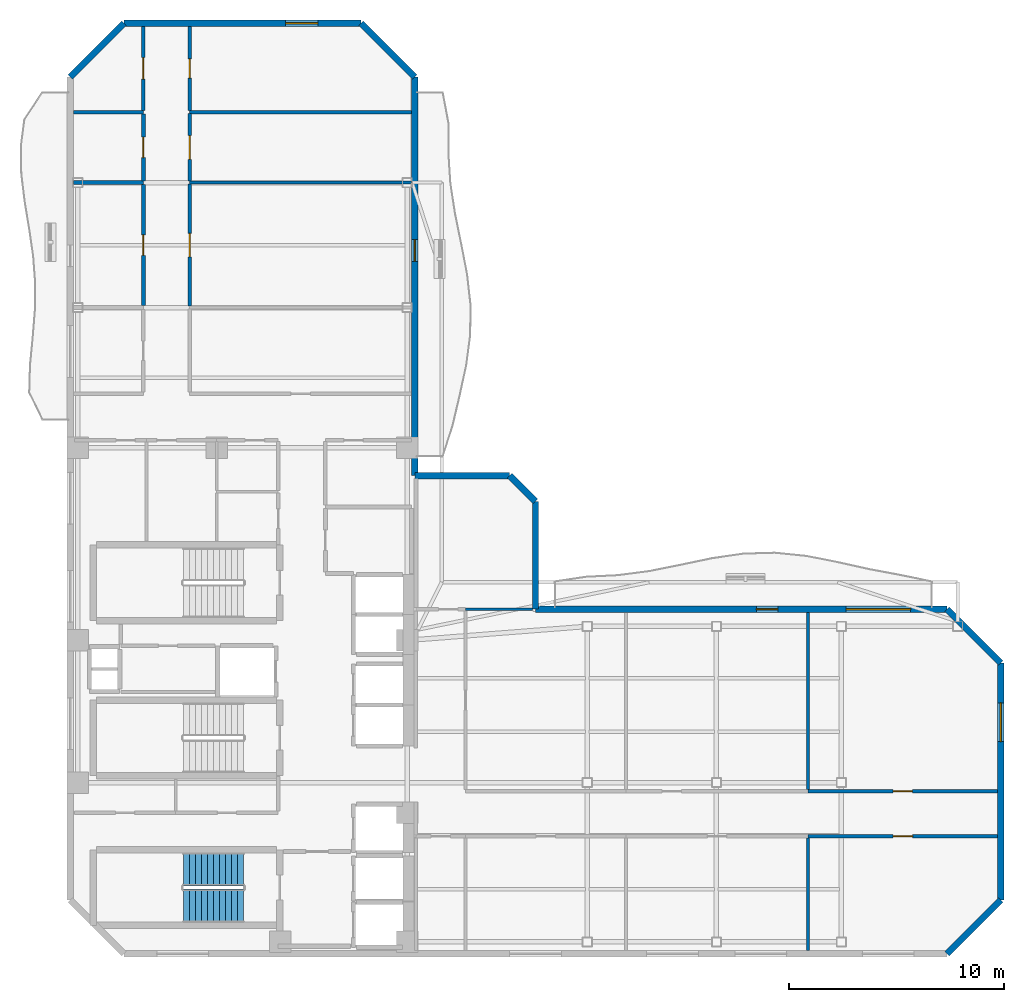
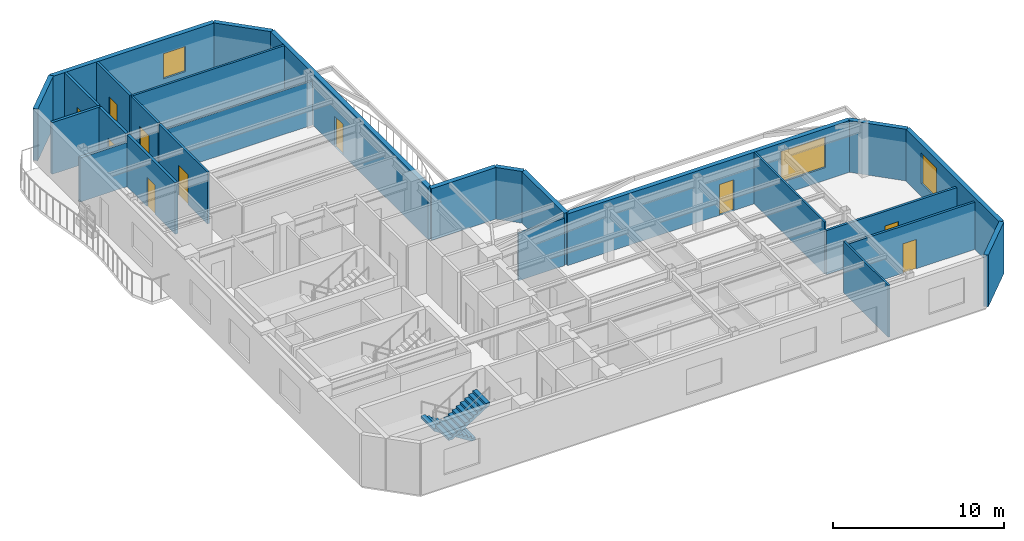
# One storey, part 5 of 9: 26 walls, 10 doors, 3 windows, 2 stair flights, 13 openings, 1 element without a shape of its own.
"""IFC4 building model written with IfcOpenShell, lengths in metres."""

from ifc_helpers import new_model, si_unit, direction, frame, frame_2d, origin, place, context, subcontext, project, spatial, polyline, rectangle, outline, extrude, material, layer, layer_set, type_object, element, fill, aggregate, save


model = new_model("IFC4")

# Units and contexts
model_context = context("Model", 3, precision=1e-05, world=origin(), true_north=direction((0.0, 1.0)))
body_context = subcontext(model_context, "Body", "Model", "MODEL_VIEW")
ifc_project = project(units=[si_unit("LENGTHUNIT", "METRE"), si_unit("AREAUNIT", "SQUARE_METRE"), si_unit("VOLUMEUNIT", "CUBIC_METRE"), si_unit("PLANEANGLEUNIT", "RADIAN"), si_unit("MASSUNIT", "GRAM", prefix="KILO")], contexts=[model_context])

# Site, building, storey
site_placement = place(None, origin())
site = spatial("IfcSite", under=ifc_project, at=site_placement, CompositionType="ELEMENT")
building_placement = place(site_placement, origin())
building = spatial("IfcBuilding", under=site, at=building_placement, Name="Mawjaban Terraces University", CompositionType="ELEMENT")
storey_placement = place(building_placement, frame((0.0, 0.0, 226.5)))
storey = spatial("IfcBuildingStorey", under=building, at=storey_placement, Name="L55", CompositionType="ELEMENT", Elevation=226.5)

# Walls
ifc_material_1 = material(Name="Acoustic masonry blockwork", Category="masonry")
ifc_layer_1 = layer(ifc_material_1, 0.179931640625)
ifc_layer_set_1 = layer_set([ifc_layer_1], Name="Acoustic masonry blockwork")
wall_type_1 = type_object("IfcWallType", Name="AcousticStudioWall_180", PredefinedType="PARTITIONING", material=ifc_layer_set_1)
wall_1_placement = place(storey_placement, frame((25.39990234375, 35.800048828125, 0.0), z_axis=(0.0, 0.0, 1.0), x_axis=(-1.0, 0.0, 0.0)))
element("IfcWall", 1, at=wall_1_placement, inside=storey, type_object=wall_type_1, Name="L55 Media Workshop 10 Partition 5", PredefinedType="PARTITIONING", context=body_context, shape_type="SweptSolid", body=[
    extrude(rectangle(XDim=3.2548828125, YDim=0.179931640625, at=frame_2d((1.62744140625, 0.0))), origin(), (0.0, 0.0, 1.0), 3.14599609375),
])
wall_2_placement = place(storey_placement, frame((25.39990234375, 39.070068359375, 0.0), z_axis=(0.0, 0.0, 1.0), x_axis=(-1.0, 0.0, 0.0)))
element("IfcWall", 2, at=wall_2_placement, inside=storey, type_object=wall_type_1, Name="L55 Design Studio 12 Partition 6", PredefinedType="PARTITIONING", context=body_context, shape_type="SweptSolid", body=[
    extrude(rectangle(XDim=3.2548828125, YDim=0.179931640625, at=frame_2d((1.62744140625, 0.0))), origin(), (0.0, 0.0, 1.0), 3.68994140625),
])

# Wall, opening, door
wall_3_placement = place(storey_placement, frame((25.39990234375, 35.715087890625, 0.0), z_axis=(0.0, 0.0, 1.0), x_axis=(0.0, -1.0, 0.0)))
wall_3 = element("IfcWall", 3, at=wall_3_placement, inside=storey, type_object=wall_type_1, Name="L55 West Shifted Academic Corridor Partition 33", PredefinedType="PARTITIONING", context=body_context, shape_type="SweptSolid", body=[
    extrude(rectangle(XDim=5.630126953125, YDim=0.179931640625, at=frame_2d((2.81494140625, 0.0))), origin(), (0.0, 0.0, 1.0), 3.68994140625),
])
opening_1_placement = place(wall_3_placement, frame((2.340087890625, 0.0, 0.0)))
opening_1 = element("IfcOpeningElement", 4, at=opening_1_placement, cuts=wall_3, Name="Opening ID-095", PredefinedType="OPENING", context=body_context, shape_type="SweptSolid", body=[
    extrude(rectangle(XDim=0.949951171875, YDim=2.10009765625, at=frame_2d((0.47509765625, 1.050048828125))), frame((0.0, 0.099853515625, 0.0), z_axis=(0.0, -1.0, 0.0), x_axis=(1.0, 0.0, 0.0)), (0.0, 0.0, 1.0), 0.199951171875),
])
ifc_material_2 = material(Name="Powder-coated steel frame and solid acoustic timber leaf", Category="steel")
door_type_1 = type_object("IfcDoorType", Name="StudioDoor_950x2100", OperationType="NOTDEFINED", PredefinedType="DOOR", material=ifc_material_2)
door_1_placement = place(opening_1_placement, origin())
door_1 = element("IfcDoor", 5, at=door_1_placement, inside=storey, type_object=door_type_1, Name="L55 Media Workshop 10 Door", OperationType="SINGLE_SWING_RIGHT", OverallHeight=2.10009765625, OverallWidth=0.949951171875, PredefinedType="DOOR", context=body_context, shape_type="SweptSolid", body=[
    extrude(rectangle(XDim=0.949951171875, YDim=2.10009765625, at=frame_2d((0.47509765625, 1.050048828125))), frame((0.0, 0.02490234375, 0.0), z_axis=(0.0, -1.0, 0.0), x_axis=(1.0, 0.0, 0.0)), (0.0, 0.0, 1.0), 0.050048828125),
])
fill(opening_1, door_1)

wall_4_placement = place(storey_placement, frame((25.39990234375, 38.985107421875, 0.0), z_axis=(0.0, 0.0, 1.0), x_axis=(0.0, -1.0, 0.0)))
wall_4 = element("IfcWall", 6, at=wall_4_placement, inside=storey, type_object=wall_type_1, Name="L55 West Shifted Academic Corridor Partition 34", PredefinedType="PARTITIONING", context=body_context, shape_type="SweptSolid", body=[
    extrude(rectangle(XDim=3.10009765625, YDim=0.179931640625, at=frame_2d((1.550048828125, 0.0))), origin(), (0.0, 0.0, 1.0), 3.68994140625),
])
opening_2_placement = place(wall_4_placement, frame((1.074951171875, 0.0, 0.0)))
opening_2 = element("IfcOpeningElement", 7, at=opening_2_placement, cuts=wall_4, Name="Opening ID-095", PredefinedType="OPENING", context=body_context, shape_type="SweptSolid", body=[
    extrude(rectangle(XDim=0.949951171875, YDim=2.10009765625, at=frame_2d((0.47509765625, 1.050048828125))), frame((0.0, 0.099853515625, 0.0), z_axis=(0.0, -1.0, 0.0), x_axis=(1.0, 0.0, 0.0)), (0.0, 0.0, 1.0), 0.199951171875),
])
door_2_placement = place(opening_2_placement, origin())
door_2 = element("IfcDoor", 8, at=door_2_placement, inside=storey, type_object=door_type_1, Name="L55 Design Studio 12 Door", OperationType="SINGLE_SWING_RIGHT", OverallHeight=2.10009765625, OverallWidth=0.949951171875, PredefinedType="DOOR", context=body_context, shape_type="SweptSolid", body=[
    extrude(rectangle(XDim=0.949951171875, YDim=2.10009765625, at=frame_2d((0.47509765625, 1.050048828125))), frame((0.0, 0.02490234375, 0.0), z_axis=(0.0, -1.0, 0.0), x_axis=(1.0, 0.0, 0.0)), (0.0, 0.0, 1.0), 0.050048828125),
])
fill(opening_2, door_2)

ifc_material_3 = material(Name="Fire-rated gypsum board on steel stud", Category="steel")
ifc_layer_2 = layer(ifc_material_3, 0.159912109375)
ifc_layer_set_2 = layer_set([ifc_layer_2], Name="Fire-rated gypsum board on steel stud")
wall_type_2 = type_object("IfcWallType", Name="CorridorPartition_160", PredefinedType="PARTITIONING", material=ifc_layer_set_2)
wall_5_placement = place(storey_placement, frame((56.25, 5.449951171875, 0.0), z_axis=(0.0, 0.0, 1.0), x_axis=(1.0, 0.0, 0.0)))
wall_5 = element("IfcWall", 9, at=wall_5_placement, inside=storey, type_object=wall_type_2, Name="L55 South Shifted Academic Corridor Partition 28", PredefinedType="PARTITIONING", context=body_context, shape_type="SweptSolid", body=[
    extrude(rectangle(XDim=8.804931640625, YDim=0.159912109375, at=frame_2d((4.40234375, 0.0))), origin(), (0.0, 0.0, 1.0), 3.3720703125),
])
opening_3_placement = place(wall_5_placement, frame((3.952880859375, 0.0, 0.0)))
opening_3 = element("IfcOpeningElement", 10, at=opening_3_placement, cuts=wall_5, Name="Opening ID-090", PredefinedType="OPENING", context=body_context, shape_type="SweptSolid", body=[
    extrude(rectangle(XDim=0.89990234375, YDim=2.10009765625, at=frame_2d((0.449951171875, 1.050048828125))), frame((0.0, 0.08984375, 0.0), z_axis=(0.0, -1.0, 0.0), x_axis=(1.0, 0.0, 0.0)), (0.0, 0.0, 1.0), 0.179931640625),
])
door_type_2 = type_object("IfcDoorType", Name="OfficeDoor_900x2100", OperationType="NOTDEFINED", PredefinedType="DOOR", material=ifc_material_2)
door_3_placement = place(opening_3_placement, origin())
door_3 = element("IfcDoor", 11, at=door_3_placement, inside=storey, type_object=door_type_2, Name="L55 Departmental Office 6 Door", OperationType="SINGLE_SWING_RIGHT", OverallHeight=2.10009765625, OverallWidth=0.89990234375, PredefinedType="DOOR", context=body_context, shape_type="SweptSolid", body=[
    extrude(rectangle(XDim=0.89990234375, YDim=2.10009765625, at=frame_2d((0.449951171875, 1.050048828125))), frame((0.0, 0.02490234375, 0.0), z_axis=(0.0, -1.0, 0.0), x_axis=(1.0, 0.0, 0.0)), (0.0, 0.0, 1.0), 0.050048828125),
])
fill(opening_3, door_3)

wall_6_placement = place(storey_placement, frame((65.054931640625, 7.550048828125, 0.0), z_axis=(0.0, 0.0, 1.0), x_axis=(-1.0, 0.0, 0.0)))
wall_6 = element("IfcWall", 12, at=wall_6_placement, inside=storey, type_object=wall_type_2, Name="L55 South Shifted Academic Corridor Partition 30", PredefinedType="PARTITIONING", context=body_context, shape_type="SweptSolid", body=[
    extrude(rectangle(XDim=8.804931640625, YDim=0.159912109375, at=frame_2d((4.40234375, 0.0))), origin(), (0.0, 0.0, 1.0), 3.14599609375),
])
opening_4_placement = place(wall_6_placement, frame((3.952880859375, 0.0, 0.0)))
opening_4 = element("IfcOpeningElement", 13, at=opening_4_placement, cuts=wall_6, Name="Opening ID-090", PredefinedType="OPENING", context=body_context, shape_type="SweptSolid", body=[
    extrude(rectangle(XDim=0.89990234375, YDim=2.10009765625, at=frame_2d((0.449951171875, 1.050048828125))), frame((0.0, 0.08984375, 0.0), z_axis=(0.0, -1.0, 0.0), x_axis=(1.0, 0.0, 0.0)), (0.0, 0.0, 1.0), 0.179931640625),
])
door_4_placement = place(opening_4_placement, origin())
door_4 = element("IfcDoor", 14, at=door_4_placement, inside=storey, type_object=door_type_2, Name="L55 Faculty Office 7 Door", OperationType="SINGLE_SWING_LEFT", OverallHeight=2.10009765625, OverallWidth=0.89990234375, PredefinedType="DOOR", context=body_context, shape_type="SweptSolid", body=[
    extrude(rectangle(XDim=0.89990234375, YDim=2.10009765625, at=frame_2d((0.449951171875, 1.050048828125))), frame((0.0, 0.02490234375, 0.0), z_axis=(0.0, -1.0, 0.0), x_axis=(1.0, 0.0, 0.0)), (0.0, 0.0, 1.0), 0.050048828125),
])
fill(opening_4, door_4)

wall_7_placement = place(storey_placement, frame((25.39990234375, 43.054931640625, 0.0), z_axis=(0.0, 0.0, 1.0), x_axis=(0.0, -1.0, 0.0)))
wall_7 = element("IfcWall", 15, at=wall_7_placement, inside=storey, type_object=wall_type_2, Name="L55 West Shifted Academic Corridor Partition 35", PredefinedType="PARTITIONING", context=body_context, shape_type="SweptSolid", body=[
    extrude(rectangle(XDim=3.89990234375, YDim=0.159912109375, at=frame_2d((1.949951171875, 0.0))), origin(), (0.0, 0.0, 1.0), 3.68994140625),
])
opening_5_placement = place(wall_7_placement, frame((1.449951171875, 0.0, 0.0)))
opening_5 = element("IfcOpeningElement", 16, at=opening_5_placement, cuts=wall_7, Name="Opening ID-100", PredefinedType="OPENING", context=body_context, shape_type="SweptSolid", body=[
    extrude(rectangle(XDim=1.0, YDim=2.10009765625, at=frame_2d((0.5, 1.050048828125))), frame((0.0, 0.08984375, 0.0), z_axis=(0.0, -1.0, 0.0), x_axis=(1.0, 0.0, 0.0)), (0.0, 0.0, 1.0), 0.179931640625),
])
door_type_3 = type_object("IfcDoorType", Name="ClassroomDoor_1000x2100", OperationType="NOTDEFINED", PredefinedType="DOOR", material=ifc_material_2)
door_5_placement = place(opening_5_placement, origin())
door_5 = element("IfcDoor", 17, at=door_5_placement, inside=storey, type_object=door_type_3, Name="L55 Classroom 14 Door", OperationType="SINGLE_SWING_RIGHT", OverallHeight=2.10009765625, OverallWidth=1.0, PredefinedType="DOOR", context=body_context, shape_type="SweptSolid", body=[
    extrude(rectangle(XDim=1.0, YDim=2.10009765625, at=frame_2d((0.5, 1.050048828125))), frame((0.0, 0.02490234375, 0.0), z_axis=(0.0, -1.0, 0.0), x_axis=(1.0, 0.0, 0.0)), (0.0, 0.0, 1.0), 0.050048828125),
])
fill(opening_5, door_5)

wall_8_placement = place(storey_placement, frame((27.550048828125, 39.137939453125, 0.0), z_axis=(0.0, 0.0, 1.0), x_axis=(0.0, 1.0, 0.0)))
wall_8 = element("IfcWall", 18, at=wall_8_placement, inside=storey, type_object=wall_type_2, Name="L55 West Shifted Academic Corridor Partition 41", PredefinedType="PARTITIONING", context=body_context, shape_type="SweptSolid", body=[
    extrude(rectangle(XDim=3.9169921875, YDim=0.159912109375, at=frame_2d((1.95849609375, 0.0))), origin(), (0.0, 0.0, 1.0), 3.68994140625),
])
opening_6_placement = place(wall_8_placement, frame((1.509033203125, 0.0, 0.0)))
opening_6 = element("IfcOpeningElement", 19, at=opening_6_placement, cuts=wall_8, Name="Opening ID-090", PredefinedType="OPENING", context=body_context, shape_type="SweptSolid", body=[
    extrude(rectangle(XDim=0.89990234375, YDim=2.10009765625, at=frame_2d((0.449951171875, 1.050048828125))), frame((0.0, 0.08984375, 0.0), z_axis=(0.0, -1.0, 0.0), x_axis=(1.0, 0.0, 0.0)), (0.0, 0.0, 1.0), 0.179931640625),
])
door_6_placement = place(opening_6_placement, origin())
door_6 = element("IfcDoor", 20, at=door_6_placement, inside=storey, type_object=door_type_2, Name="L55 Academic Counseling Room 15 Door", OperationType="SINGLE_SWING_LEFT", OverallHeight=2.10009765625, OverallWidth=0.89990234375, PredefinedType="DOOR", context=body_context, shape_type="SweptSolid", body=[
    extrude(rectangle(XDim=0.89990234375, YDim=2.10009765625, at=frame_2d((0.449951171875, 1.050048828125))), frame((0.0, 0.02490234375, 0.0), z_axis=(0.0, -1.0, 0.0), x_axis=(1.0, 0.0, 0.0)), (0.0, 0.0, 1.0), 0.050048828125),
])
fill(opening_6, door_6)

# Wall
ifc_material_4 = material(Name="Insulated terracotta rainscreen on concrete backup C40/50", Category="masonry")
ifc_layer_3 = layer(ifc_material_4, 0.300048828125)
ifc_layer_set_3 = layer_set([ifc_layer_3], Name="Insulated terracotta rainscreen on concrete backup C40/50")
wall_type_3 = type_object("IfcWallType", Name="ExtTerracottaWall_300", PredefinedType="SOLIDWALL", material=ifc_layer_set_3)
wall_9_placement = place(storey_placement, frame((62.699951171875, 0.0, 0.0), z_axis=(0.0, 0.0, 1.0), x_axis=(0.707106781187, 0.707106781187, 0.0)))
element("IfcWall", 21, at=wall_9_placement, inside=storey, type_object=wall_type_3, Name="L55 Exterior Terracotta Wall 2", PredefinedType="SOLIDWALL", context=body_context, shape_type="SweptSolid", body=[
    extrude(rectangle(XDim=3.53564453125, YDim=0.300048828125, at=frame_2d((1.767822265625, 0.0))), origin(), (0.0, 0.0, 1.0), 3.68994140625),
])

# Wall, opening, window
wall_10_placement = place(storey_placement, frame((65.199951171875, 2.5, 0.0), z_axis=(0.0, 0.0, 1.0), x_axis=(0.0, 1.0, 0.0)))
wall_10 = element("IfcWall", 22, at=wall_10_placement, inside=storey, type_object=wall_type_3, Name="L55 Exterior Terracotta Wall 3", PredefinedType="SOLIDWALL", context=body_context, shape_type="SweptSolid", body=[
    extrude(rectangle(XDim=11.0, YDim=0.300048828125, at=frame_2d((5.5, 0.0))), origin(), (0.0, 0.0, 1.0), 3.68994140625),
])
opening_7_placement = place(wall_10_placement, frame((7.35009765625, 0.0, 0.89990234375)))
opening_7 = element("IfcOpeningElement", 23, at=opening_7_placement, cuts=wall_10, Name="Opening W-10", PredefinedType="OPENING", context=body_context, shape_type="SweptSolid", body=[
    extrude(rectangle(XDim=1.800048828125, YDim=2.199951171875, at=frame_2d((0.89990234375, 1.10009765625))), frame((0.0, 0.159912109375, 0.0), z_axis=(0.0, -1.0, 0.0), x_axis=(1.0, 0.0, 0.0)), (0.0, 0.0, 1.0), 0.320068359375),
])
ifc_material_5 = material(Name="Low-E solar-control double glazing in thermally broken aluminium frame", Category="aluminium")
window_type_1 = type_object("IfcWindowType", Name="Win_1800x2200", PartitioningType="SINGLE_PANEL", PredefinedType="WINDOW", material=ifc_material_5)
window_1_placement = place(opening_7_placement, origin())
window_1 = element("IfcWindow", 24, at=window_1_placement, inside=storey, type_object=window_type_1, Name="L55 Facade Window 3.2", OverallHeight=2.199951171875, OverallWidth=1.800048828125, PartitioningType="SINGLE_PANEL", PredefinedType="WINDOW", context=body_context, shape_type="SweptSolid", body=[
    extrude(rectangle(XDim=1.800048828125, YDim=2.199951171875, at=frame_2d((0.89990234375, 1.10009765625))), frame((0.0, 0.030029296875, 0.0), z_axis=(0.0, -1.0, 0.0), x_axis=(1.0, 0.0, 0.0)), (0.0, 0.0, 1.0), 0.06005859375),
])
fill(opening_7, window_1)

# Wall
wall_11_placement = place(storey_placement, frame((65.199951171875, 13.5, 0.0), z_axis=(0.0, 0.0, 1.0), x_axis=(-0.707106781187, 0.707106781187, 0.0)))
element("IfcWall", 25, at=wall_11_placement, inside=storey, type_object=wall_type_3, Name="L55 Exterior Terracotta Wall 4", PredefinedType="SOLIDWALL", context=body_context, shape_type="SweptSolid", body=[
    extrude(rectangle(XDim=3.53564453125, YDim=0.300048828125, at=frame_2d((1.767822265625, 0.0))), origin(), (0.0, 0.0, 1.0), 3.68994140625),
])

# Wall, openings, door, window
wall_12_placement = place(storey_placement, frame((62.699951171875, 16.0, 0.0), z_axis=(0.0, 0.0, 1.0), x_axis=(-1.0, 0.0, 0.0)))
wall_12 = element("IfcWall", 26, at=wall_12_placement, inside=storey, type_object=wall_type_3, Name="L55 Exterior Terracotta Wall 5", PredefinedType="SOLIDWALL", context=body_context, shape_type="SweptSolid", body=[
    extrude(rectangle(XDim=19.099853515625, YDim=0.300048828125, at=frame_2d((9.5498046875, 0.0))), origin(), (0.0, 0.0, 1.0), 3.68994140625),
])
opening_8_placement = place(wall_12_placement, frame((7.85009765625, 0.0, 0.0)))
opening_8 = element("IfcOpeningElement", 27, at=opening_8_placement, cuts=wall_12, Name="Opening BD-100", PredefinedType="OPENING", context=body_context, shape_type="SweptSolid", body=[
    extrude(rectangle(XDim=1.0, YDim=2.199951171875, at=frame_2d((0.5, 1.10009765625))), frame((0.0, 0.159912109375, 0.0), z_axis=(0.0, -1.0, 0.0), x_axis=(1.0, 0.0, 0.0)), (0.0, 0.0, 1.0), 0.320068359375),
])
opening_9_placement = place(wall_12_placement, frame((1.68310546875, 0.0, 0.89990234375)))
opening_9 = element("IfcOpeningElement", 28, at=opening_9_placement, cuts=wall_12, Name="Opening W-12", PredefinedType="OPENING", context=body_context, shape_type="SweptSolid", body=[
    extrude(rectangle(XDim=3.0, YDim=2.199951171875, at=frame_2d((1.5, 1.10009765625))), frame((0.0, 0.159912109375, 0.0), z_axis=(0.0, -1.0, 0.0), x_axis=(1.0, 0.0, 0.0)), (0.0, 0.0, 1.0), 0.320068359375),
])
ifc_material_6 = material(Name="Thermally broken anodised aluminium and laminated safety glass", Category="aluminium")
door_type_4 = type_object("IfcDoorType", Name="BalconyGlazedDoor_1000x2200", OperationType="NOTDEFINED", PredefinedType="DOOR", material=ifc_material_6)
door_7_placement = place(opening_8_placement, origin())
door_7 = element("IfcDoor", 29, at=door_7_placement, inside=storey, type_object=door_type_4, Name="L55 Balcony Access Door inner_north", OperationType="SINGLE_SWING_RIGHT", OverallHeight=2.199951171875, OverallWidth=1.0, PredefinedType="DOOR", context=body_context, shape_type="SweptSolid", body=[
    extrude(rectangle(XDim=1.0, YDim=2.199951171875, at=frame_2d((0.5, 1.10009765625))), frame((0.0, 0.02490234375, 0.0), z_axis=(0.0, -1.0, 0.0), x_axis=(1.0, 0.0, 0.0)), (0.0, 0.0, 1.0), 0.050048828125),
])
fill(opening_8, door_7)
window_type_2 = type_object("IfcWindowType", Name="Win_3000x2200", PartitioningType="SINGLE_PANEL", PredefinedType="WINDOW", material=ifc_material_5)
window_2_placement = place(opening_9_placement, origin())
window_2 = element("IfcWindow", 30, at=window_2_placement, inside=storey, type_object=window_type_2, Name="L55 Facade Window 5.1", OverallHeight=2.199951171875, OverallWidth=3.0, PartitioningType="SINGLE_PANEL", PredefinedType="WINDOW", context=body_context, shape_type="SweptSolid", body=[
    extrude(rectangle(XDim=3.0, YDim=2.199951171875, at=frame_2d((1.5, 1.10009765625))), frame((0.0, 0.030029296875, 0.0), z_axis=(0.0, -1.0, 0.0), x_axis=(1.0, 0.0, 0.0)), (0.0, 0.0, 1.0), 0.06005859375),
])
fill(opening_9, window_2)

# Walls
wall_13_placement = place(storey_placement, frame((43.60009765625, 16.0, 0.0), z_axis=(0.0, 0.0, 1.0), x_axis=(0.0, 1.0, 0.0)))
element("IfcWall", 31, at=wall_13_placement, inside=storey, type_object=wall_type_3, Name="L55 Exterior Terracotta Wall 6", PredefinedType="SOLIDWALL", context=body_context, shape_type="SweptSolid", body=[
    extrude(rectangle(XDim=5.0, YDim=0.300048828125, at=frame_2d((2.5, 0.0))), origin(), (0.0, 0.0, 1.0), 3.68994140625),
])
wall_14_placement = place(storey_placement, frame((43.60009765625, 21.0, 0.0), z_axis=(0.0, 0.0, 1.0), x_axis=(-0.707178703759, 0.707034851297, 0.0)))
element("IfcWall", 32, at=wall_14_placement, inside=storey, type_object=wall_type_3, Name="L55 Exterior Terracotta Wall 7", PredefinedType="SOLIDWALL", context=body_context, shape_type="SweptSolid", body=[
    extrude(rectangle(XDim=1.697265625, YDim=0.300048828125, at=frame_2d((0.8486328125, 0.0))), origin(), (0.0, 0.0, 1.0), 3.68994140625),
])
wall_15_placement = place(storey_placement, frame((42.39990234375, 22.199951171875, 0.0), z_axis=(0.0, 0.0, 1.0), x_axis=(-1.0, 0.0, 0.0)))
element("IfcWall", 33, at=wall_15_placement, inside=storey, type_object=wall_type_3, Name="L55 Exterior Terracotta Wall 8", PredefinedType="SOLIDWALL", context=body_context, shape_type="SweptSolid", body=[
    extrude(rectangle(XDim=4.39990234375, YDim=0.300048828125, at=frame_2d((2.199951171875, 0.0))), origin(), (0.0, 0.0, 1.0), 3.68994140625),
])

# Wall, opening, door
wall_16_placement = place(storey_placement, frame((38.0, 22.199951171875, 0.0), z_axis=(0.0, 0.0, 1.0), x_axis=(0.0, 1.0, 0.0)))
wall_16 = element("IfcWall", 34, at=wall_16_placement, inside=storey, type_object=wall_type_3, Name="L55 Exterior Terracotta Wall 9", PredefinedType="SOLIDWALL", context=body_context, shape_type="SweptSolid", body=[
    extrude(rectangle(XDim=18.5, YDim=0.300048828125, at=frame_2d((9.25, 0.0))), origin(), (0.0, 0.0, 1.0), 3.68994140625),
])
opening_10_placement = place(wall_16_placement, frame((9.949951171875, 0.0, 0.0)))
opening_10 = element("IfcOpeningElement", 35, at=opening_10_placement, cuts=wall_16, Name="Opening BD-100", PredefinedType="OPENING", context=body_context, shape_type="SweptSolid", body=[
    extrude(rectangle(XDim=1.0, YDim=2.199951171875, at=frame_2d((0.5, 1.10009765625))), frame((0.0, 0.159912109375, 0.0), z_axis=(0.0, -1.0, 0.0), x_axis=(1.0, 0.0, 0.0)), (0.0, 0.0, 1.0), 0.320068359375),
])
door_8_placement = place(opening_10_placement, origin())
door_8 = element("IfcDoor", 36, at=door_8_placement, inside=storey, type_object=door_type_4, Name="L55 Balcony Access Door inner_east", OperationType="SINGLE_SWING_RIGHT", OverallHeight=2.199951171875, OverallWidth=1.0, PredefinedType="DOOR", context=body_context, shape_type="SweptSolid", body=[
    extrude(rectangle(XDim=1.0, YDim=2.199951171875, at=frame_2d((0.5, 1.10009765625))), frame((0.0, 0.02490234375, 0.0), z_axis=(0.0, -1.0, 0.0), x_axis=(1.0, 0.0, 0.0)), (0.0, 0.0, 1.0), 0.050048828125),
])
fill(opening_10, door_8)

# Wall
wall_17_placement = place(storey_placement, frame((38.0, 40.699951171875, 0.0), z_axis=(0.0, 0.0, 1.0), x_axis=(-0.707106781187, 0.707106781187, 0.0)))
element("IfcWall", 37, at=wall_17_placement, inside=storey, type_object=wall_type_3, Name="L55 Exterior Terracotta Wall 10", PredefinedType="SOLIDWALL", context=body_context, shape_type="SweptSolid", body=[
    extrude(rectangle(XDim=3.53564453125, YDim=0.300048828125, at=frame_2d((1.767822265625, 0.0))), origin(), (0.0, 0.0, 1.0), 3.68994140625),
])

# Wall, opening, window
wall_18_placement = place(storey_placement, frame((35.5, 43.199951171875, 0.0), z_axis=(0.0, 0.0, 1.0), x_axis=(-1.0, 0.0, 0.0)))
wall_18 = element("IfcWall", 38, at=wall_18_placement, inside=storey, type_object=wall_type_3, Name="L55 Exterior Terracotta Wall 11", PredefinedType="SOLIDWALL", context=body_context, shape_type="SweptSolid", body=[
    extrude(rectangle(XDim=11.0, YDim=0.300048828125, at=frame_2d((5.5, 0.0))), origin(), (0.0, 0.0, 1.0), 3.68994140625),
])
opening_11_placement = place(wall_18_placement, frame((2.0, 0.0, 0.89990234375)))
opening_11 = element("IfcOpeningElement", 39, at=opening_11_placement, cuts=wall_18, Name="Opening W-06", PredefinedType="OPENING", context=body_context, shape_type="SweptSolid", body=[
    extrude(rectangle(XDim=1.5, YDim=1.800048828125, at=frame_2d((0.75, 0.89990234375))), frame((0.0, 0.159912109375, 0.0), z_axis=(0.0, -1.0, 0.0), x_axis=(1.0, 0.0, 0.0)), (0.0, 0.0, 1.0), 0.320068359375),
])
window_type_3 = type_object("IfcWindowType", Name="Win_1500x1800", PartitioningType="SINGLE_PANEL", PredefinedType="WINDOW", material=ifc_material_5)
window_3_placement = place(opening_11_placement, origin())
window_3 = element("IfcWindow", 40, at=window_3_placement, inside=storey, type_object=window_type_3, Name="L55 Facade Window 11.1", OverallHeight=1.800048828125, OverallWidth=1.5, PartitioningType="SINGLE_PANEL", PredefinedType="WINDOW", context=body_context, shape_type="SweptSolid", body=[
    extrude(rectangle(XDim=1.5, YDim=1.800048828125, at=frame_2d((0.75, 0.89990234375))), frame((0.0, 0.030029296875, 0.0), z_axis=(0.0, -1.0, 0.0), x_axis=(1.0, 0.0, 0.0)), (0.0, 0.0, 1.0), 0.06005859375),
])
fill(opening_11, window_3)

# Walls
wall_19_placement = place(storey_placement, frame((24.5, 43.199951171875, 0.0), z_axis=(0.0, 0.0, 1.0), x_axis=(-0.707106781187, -0.707106781187, 0.0)))
element("IfcWall", 41, at=wall_19_placement, inside=storey, type_object=wall_type_3, Name="L55 Exterior Terracotta Wall 12", PredefinedType="SOLIDWALL", context=body_context, shape_type="SweptSolid", body=[
    extrude(rectangle(XDim=3.53564453125, YDim=0.300048828125, at=frame_2d((1.767822265625, 0.0))), origin(), (0.0, 0.0, 1.0), 3.68994140625),
])
ifc_material_7 = material(Name="Moisture-resistant gypsum board on steel stud", Category="steel")
ifc_layer_4 = layer(ifc_material_7, 0.14501953125)
ifc_layer_set_4 = layer_set([ifc_layer_4], Name="Moisture-resistant gypsum board on steel stud")
wall_type_4 = type_object("IfcWallType", Name="LabPartition_145", PredefinedType="PARTITIONING", material=ifc_layer_set_4)
wall_20_placement = place(storey_placement, frame((37.85009765625, 35.800048828125, 0.0), z_axis=(0.0, 0.0, 1.0), x_axis=(-1.0, 0.0, 0.0)))
element("IfcWall", 42, at=wall_20_placement, inside=storey, type_object=wall_type_4, Name="L55 Teaching Laboratory 11 Partition 20", PredefinedType="PARTITIONING", context=body_context, shape_type="SweptSolid", body=[
    extrude(rectangle(XDim=10.300048828125, YDim=0.14501953125, at=frame_2d((5.14990234375, 0.0))), origin(), (0.0, 0.0, 1.0), 3.14599609375),
])
wall_21_placement = place(storey_placement, frame((37.85009765625, 39.070068359375, 0.0), z_axis=(0.0, 0.0, 1.0), x_axis=(-1.0, 0.0, 0.0)))
element("IfcWall", 43, at=wall_21_placement, inside=storey, type_object=wall_type_4, Name="L55 Computational Laboratory 13 Partition 21", PredefinedType="PARTITIONING", context=body_context, shape_type="SweptSolid", body=[
    extrude(rectangle(XDim=10.300048828125, YDim=0.14501953125, at=frame_2d((5.14990234375, 0.0))), origin(), (0.0, 0.0, 1.0), 3.68994140625),
])

# Wall, opening, door
wall_22_placement = place(storey_placement, frame((27.550048828125, 30.06689453125, 0.0), z_axis=(0.0, 0.0, 1.0), x_axis=(0.0, 1.0, 0.0)))
wall_22 = element("IfcWall", 44, at=wall_22_placement, inside=storey, type_object=wall_type_4, Name="L55 West Shifted Academic Corridor Partition 39", PredefinedType="PARTITIONING", context=body_context, shape_type="SweptSolid", body=[
    extrude(rectangle(XDim=5.6650390625, YDim=0.14501953125, at=frame_2d((2.83251953125, 0.0))), origin(), (0.0, 0.0, 1.0), 3.68994140625),
])
opening_12_placement = place(wall_22_placement, frame((2.281982421875, 0.0, 0.0)))
opening_12 = element("IfcOpeningElement", 45, at=opening_12_placement, cuts=wall_22, Name="Opening ID-110", PredefinedType="OPENING", context=body_context, shape_type="SweptSolid", body=[
    extrude(rectangle(XDim=1.10009765625, YDim=2.14990234375, at=frame_2d((0.550048828125, 1.074951171875))), frame((0.0, 0.08251953125, 0.0), z_axis=(0.0, -1.0, 0.0), x_axis=(1.0, 0.0, 0.0)), (0.0, 0.0, 1.0), 0.1650390625),
])
door_type_5 = type_object("IfcDoorType", Name="LabDoor_1100x2150", OperationType="NOTDEFINED", PredefinedType="DOOR", material=ifc_material_2)
door_9_placement = place(opening_12_placement, origin())
door_9 = element("IfcDoor", 46, at=door_9_placement, inside=storey, type_object=door_type_5, Name="L55 Teaching Laboratory 11 Door", OperationType="SINGLE_SWING_LEFT", OverallHeight=2.14990234375, OverallWidth=1.10009765625, PredefinedType="DOOR", context=body_context, shape_type="SweptSolid", body=[
    extrude(rectangle(XDim=1.10009765625, YDim=2.14990234375, at=frame_2d((0.550048828125, 1.074951171875))), frame((0.0, 0.02490234375, 0.0), z_axis=(0.0, -1.0, 0.0), x_axis=(1.0, 0.0, 0.0)), (0.0, 0.0, 1.0), 0.050048828125),
])
fill(opening_12, door_9)

wall_23_placement = place(storey_placement, frame((27.550048828125, 35.866943359375, 0.0), z_axis=(0.0, 0.0, 1.0), x_axis=(0.0, 1.0, 0.0)))
wall_23 = element("IfcWall", 47, at=wall_23_placement, inside=storey, type_object=wall_type_4, Name="L55 West Shifted Academic Corridor Partition 40", PredefinedType="PARTITIONING", context=body_context, shape_type="SweptSolid", body=[
    extrude(rectangle(XDim=3.135009765625, YDim=0.14501953125, at=frame_2d((1.5673828125, 0.0))), origin(), (0.0, 0.0, 1.0), 3.68994140625),
])
opening_13_placement = place(wall_23_placement, frame((1.01806640625, 0.0, 0.0)))
opening_13 = element("IfcOpeningElement", 48, at=opening_13_placement, cuts=wall_23, Name="Opening ID-110", PredefinedType="OPENING", context=body_context, shape_type="SweptSolid", body=[
    extrude(rectangle(XDim=1.10009765625, YDim=2.14990234375, at=frame_2d((0.550048828125, 1.074951171875))), frame((0.0, 0.08251953125, 0.0), z_axis=(0.0, -1.0, 0.0), x_axis=(1.0, 0.0, 0.0)), (0.0, 0.0, 1.0), 0.1650390625),
])
door_10_placement = place(opening_13_placement, origin())
door_10 = element("IfcDoor", 49, at=door_10_placement, inside=storey, type_object=door_type_5, Name="L55 Computational Laboratory 13 Door", OperationType="SINGLE_SWING_LEFT", OverallHeight=2.14990234375, OverallWidth=1.10009765625, PredefinedType="DOOR", context=body_context, shape_type="SweptSolid", body=[
    extrude(rectangle(XDim=1.10009765625, YDim=2.14990234375, at=frame_2d((0.550048828125, 1.074951171875))), frame((0.0, 0.02490234375, 0.0), z_axis=(0.0, -1.0, 0.0), x_axis=(1.0, 0.0, 0.0)), (0.0, 0.0, 1.0), 0.050048828125),
])
fill(opening_13, door_10)

# Walls
ifc_material_8 = material(Name="Gypsum plasterboard on steel stud", Category="steel")
ifc_layer_5 = layer(ifc_material_8, 0.125)
ifc_layer_set_5 = layer_set([ifc_layer_5], Name="Gypsum plasterboard on steel stud")
wall_type_5 = type_object("IfcWallType", Name="OfficePartition_125", PredefinedType="PARTITIONING", material=ifc_layer_set_5)
wall_24_placement = place(storey_placement, frame((40.35009765625, 16.0, 0.0), z_axis=(0.0, 0.0, 1.0), x_axis=(1.0, 0.0, 0.0)))
element("IfcWall", 50, at=wall_24_placement, inside=storey, type_object=wall_type_5, Name="L55 Terrace Collaborative Study Room Partition 25", PredefinedType="PARTITIONING", context=body_context, shape_type="SweptSolid", body=[
    extrude(rectangle(XDim=3.10498046875, YDim=0.125, at=frame_2d((1.552490234375, 0.0))), origin(), (0.0, 0.0, 1.0), 3.389892578125),
])
wall_25_placement = place(storey_placement, frame((56.25, 0.14501953125, 0.0), z_axis=(0.0, 0.0, 1.0), x_axis=(0.0, 1.0, 0.0)))
element("IfcWall", 51, at=wall_25_placement, inside=storey, type_object=wall_type_5, Name="L55 Academic Counseling Room 4 Partition 58", PredefinedType="PARTITIONING", context=body_context, shape_type="SweptSolid", body=[
    extrude(rectangle(XDim=5.22998046875, YDim=0.125, at=frame_2d((2.614990234375, 0.0))), origin(), (0.0, 0.0, 1.0), 3.68994140625),
])
wall_26_placement = place(storey_placement, frame((56.25, 7.625, 0.0), z_axis=(0.0, 0.0, 1.0), x_axis=(0.0, 1.0, 0.0)))
element("IfcWall", 52, at=wall_26_placement, inside=storey, type_object=wall_type_5, Name="L55 Faculty Office 5 Partition 59", PredefinedType="PARTITIONING", context=body_context, shape_type="SweptSolid", body=[
    extrude(rectangle(XDim=8.22998046875, YDim=0.125, at=frame_2d((4.114990234375, 0.0))), origin(), (0.0, 0.0, 1.0), 3.68994140625),
])

# Stair, stair flights
ifc_material_9 = material(Name="Concrete C40/50", Category="concrete")
stair_type = type_object("IfcStairType", Name="Stair_Core1550_H39", PredefinedType="HALF_TURN_STAIR", material=ifc_material_9)
stair_placement = place(storey_placement, origin())
stair = element("IfcStair", 53, at=stair_placement, inside=storey, type_object=stair_type, Name="L55 Core Exit Stair 1", PredefinedType="HALF_TURN_STAIR")
stair_flight_type = type_object("IfcStairFlightType", Name="Flight_Core1550_H39", PredefinedType="STRAIGHT", material=ifc_material_9)
stair_flight_1_placement = place(storey_placement, frame((30.050048828125, 3.925048828125, 0.0), z_axis=(0.0, 0.0, 1.0), x_axis=(-1.0, 0.0, 0.0)))
stair_flight_1 = element("IfcStairFlight", 54, at=stair_flight_1_placement, type_object=stair_flight_type, Name="ST-1 flight 1", NumberOfRisers=11, NumberOfTreads=10, PredefinedType="STRAIGHT", RiserHeight=0.177272727, TreadLength=0.28, context=body_context, shape_type="SweptSolid", body=[
    extrude(outline(polyline([(0.0, 0.0), (0.0, 0.17724609375), (0.280029296875, 0.17724609375), (0.280029296875, 0.3544921875), (0.56005859375, 0.3544921875), (0.56005859375, 0.53173828125), (0.840087890625, 0.53173828125), (0.840087890625, 0.708984375), (1.1201171875, 0.708984375), (1.1201171875, 0.886474609375), (1.39990234375, 0.886474609375), (1.39990234375, 1.063720703125), (1.679931640625, 1.063720703125), (1.679931640625, 1.240966796875), (1.9599609375, 1.240966796875), (1.9599609375, 1.418212890625), (2.239990234375, 1.418212890625), (2.239990234375, 1.595458984375), (2.52001953125, 1.595458984375), (2.52001953125, 1.772705078125), (2.800048828125, 1.772705078125), (2.800048828125, 1.949951171875), (2.800048828125, 1.59521484375), (0.2802734375, 0.0), (0.0, 0.0)])), frame((0.0, 0.77490234375, 0.0), z_axis=(0.0, -1.0, 0.0), x_axis=(1.0, 0.0, 0.0)), (0.0, 0.0, 1.0), 1.550048828125),
])
stair_flight_2_placement = place(storey_placement, frame((27.25, 2.22509765625, 1.949951171875), z_axis=(0.0, 0.0, 1.0), x_axis=(1.0, 0.0, 0.0)))
stair_flight_2 = element("IfcStairFlight", 55, at=stair_flight_2_placement, type_object=stair_flight_type, Name="ST-1 flight 2", NumberOfRisers=11, NumberOfTreads=10, PredefinedType="STRAIGHT", RiserHeight=0.177272727, TreadLength=0.28, context=body_context, shape_type="SweptSolid", body=[
    extrude(outline(polyline([(0.0, 0.0), (0.0, 0.17724609375), (0.280029296875, 0.17724609375), (0.280029296875, 0.3544921875), (0.56005859375, 0.3544921875), (0.56005859375, 0.53173828125), (0.840087890625, 0.53173828125), (0.840087890625, 0.708984375), (1.1201171875, 0.708984375), (1.1201171875, 0.886474609375), (1.39990234375, 0.886474609375), (1.39990234375, 1.063720703125), (1.679931640625, 1.063720703125), (1.679931640625, 1.240966796875), (1.9599609375, 1.240966796875), (1.9599609375, 1.418212890625), (2.239990234375, 1.418212890625), (2.239990234375, 1.595458984375), (2.52001953125, 1.595458984375), (2.52001953125, 1.772705078125), (2.800048828125, 1.772705078125), (2.800048828125, 1.949951171875), (2.800048828125, 1.59521484375), (0.2802734375, 0.0), (0.0, 0.0)])), frame((0.0, 0.77490234375, 0.0), z_axis=(0.0, -1.0, 0.0), x_axis=(1.0, 0.0, 0.0)), (0.0, 0.0, 1.0), 1.550048828125),
])
aggregate(stair, [stair_flight_1, stair_flight_2])

save(model, "model.ifc")
